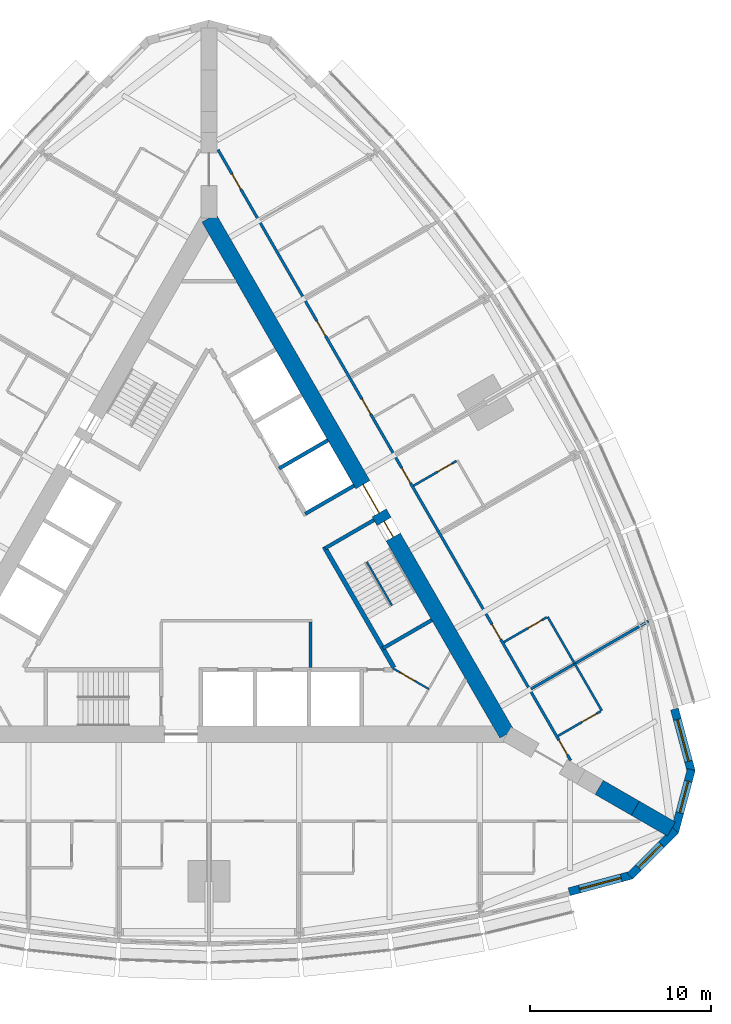
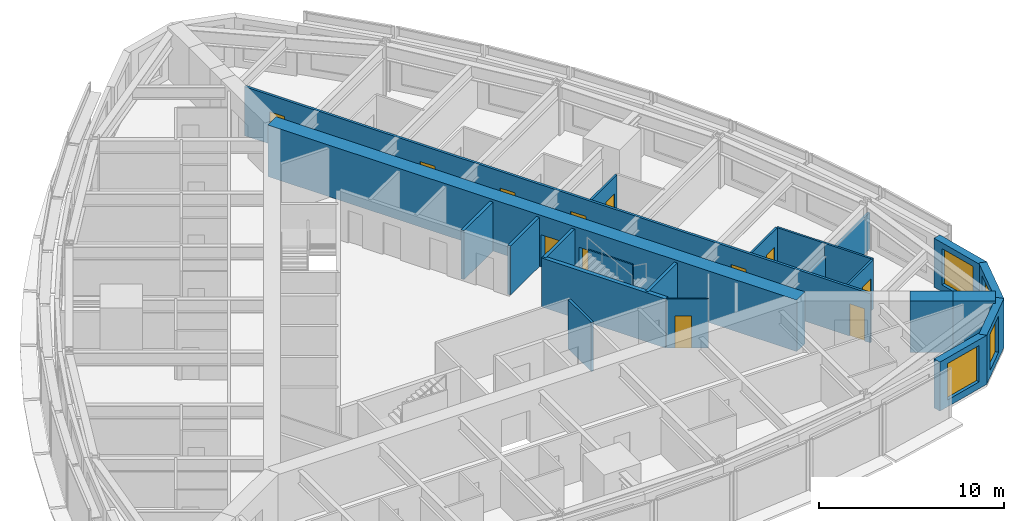
# One storey, part 11 of 14: 22 walls, 12 doors, 4 windows, 16 openings.
"""IFC4 building model written with IfcOpenShell, lengths in metres."""

import ifcopenshell
import ifcopenshell.guid

model = None  # the IFC model being written
_history = None  # IfcOwnerHistory: only IFC2X3 demands one
_inside = {}  # id of a spatial element -> (the spatial element, [elements in it])
_under = {}  # id of a project, library or spatial element -> (it, [spatial elements below it])
_declared = {}  # id of a project -> (the project, [libraries it declares])
_typed = {}  # id of a type object -> (the type object, [elements of that type])
_made_of = {}  # id of a material, layer set ... -> (it, [elements and type objects made of it])


def new_model(schema):
    """Start an empty IFC model of exactly this schema.

    Asked for "IFC4X3", IfcOpenShell would pick the latest addendum, in which some entities
    have other attributes; the version numbers below select the first issue.
    IFC2X3 requires an IfcOwnerHistory on every rooted entity: one is made here for all.
    """
    global model, _history
    if schema == "IFC4X3":
        model = ifcopenshell.file(schema_version=(4, 3, 0, 0))
    else:
        model = ifcopenshell.file(schema=schema)
    _inside.clear()
    _under.clear()
    _declared.clear()
    _typed.clear()
    _made_of.clear()
    _history = None
    if model.schema == "IFC2X3":
        org = make("IfcOrganization", Name="unknown")
        user = make(
            "IfcPersonAndOrganization",
            ThePerson=make("IfcPerson", FamilyName="unknown"),
            TheOrganization=org,
        )
        app = make(
            "IfcApplication",
            ApplicationDeveloper=org,
            Version="unknown",
            ApplicationFullName="unknown",
            ApplicationIdentifier="unknown",
        )
        _history = make(
            "IfcOwnerHistory",
            OwningUser=user,
            OwningApplication=app,
            ChangeAction="ADDED",
            CreationDate=0,
        )
    return model


def make(cls, **values):
    """One entity of the class cls with the attributes given. An attribute that is None is left unset."""
    return model.create_entity(
        cls, **{name: value for name, value in values.items() if value is not None}
    )


def rooted(cls, **values):
    """An entity with a GlobalId (a new one), such as an element, a storey or a relation."""
    return make(cls, GlobalId=ifcopenshell.guid.new(), OwnerHistory=_history, **values)


def si_unit(unit_type, name, prefix=None):
    """IfcSIUnit, for example si_unit("LENGTHUNIT", "METRE", prefix="MILLI")."""
    return make("IfcSIUnit", UnitType=unit_type, Prefix=prefix, Name=name)


def assignment(units):
    """IfcUnitAssignment: the units of a project."""
    return None if units is None else make("IfcUnitAssignment", Units=units)


def point(xyz):
    """IfcCartesianPoint."""
    return None if xyz is None else make("IfcCartesianPoint", Coordinates=xyz)


def direction(xyz):
    """IfcDirection."""
    return None if xyz is None else make("IfcDirection", DirectionRatios=xyz)


def frame(location, z_axis=None, x_axis=None):
    """IfcAxis2Placement3D, a coordinate frame: its origin and axes. An axis left out is left unset."""
    return make(
        "IfcAxis2Placement3D",
        Location=point(location),
        Axis=direction(z_axis),
        RefDirection=direction(x_axis),
    )


def frame_2d(location, x_axis=None):
    """IfcAxis2Placement2D, a coordinate frame in the plane: its origin and x axis."""
    return make(
        "IfcAxis2Placement2D", Location=point(location), RefDirection=direction(x_axis)
    )


def origin():
    """The frame at (0, 0, 0) with its axes left unset."""
    return frame((0.0, 0.0, 0.0))


def place(relative_to, where):
    """IfcLocalPlacement: puts the frame where relative to a parent placement (None: the world)."""
    return make(
        "IfcLocalPlacement", PlacementRelTo=relative_to, RelativePlacement=where
    )


def context(
    kind, dimensions, precision=None, world=None, true_north=None, identifier=None
):
    """IfcGeometricRepresentationContext, for example the 3D "Model" context."""
    return make(
        "IfcGeometricRepresentationContext",
        ContextIdentifier=identifier,
        ContextType=kind,
        CoordinateSpaceDimension=dimensions,
        Precision=precision,
        WorldCoordinateSystem=world,
        TrueNorth=true_north,
    )


def subcontext(parent, identifier, kind, view, scale=None):
    """IfcGeometricRepresentationSubContext, for example "Body" below "Model"."""
    return make(
        "IfcGeometricRepresentationSubContext",
        ContextIdentifier=identifier,
        ContextType=kind,
        ParentContext=parent,
        TargetScale=scale,
        TargetView=view,
    )


def project(units=None, contexts=None):
    """IfcProject with its units and contexts."""
    return rooted(
        "IfcProject",
        Name="project",
        RepresentationContexts=contexts,
        UnitsInContext=assignment(units),
    )


def spatial(cls, under=None, at=None, **own):
    """A site, building, storey or space (cls), placed at a placement, below another one or the project."""
    s = rooted(cls, ObjectPlacement=at, **own)
    if under is not None:
        _under.setdefault(under.id(), (under, []))[1].append(s)
    return s


def polyline(points):
    """IfcPolyline through the points."""
    return make("IfcPolyline", Points=[point(p) for p in points])


def profile(cls, at=None, kind="AREA", **sizes):
    """A parametric profile (cls). Its sizes go by their IFC names, for example OverallWidth=200.0."""
    return make(cls, ProfileType=kind, Position=at, **sizes)


def rectangle(**sizes):
    """IfcRectangleProfileDef."""
    return profile("IfcRectangleProfileDef", **sizes)


def outline(outer, holes=None, kind="AREA"):
    """IfcArbitraryClosedProfileDef: a profile drawn as a closed curve; with holes, ...WithVoids."""
    if holes is None:
        return make("IfcArbitraryClosedProfileDef", ProfileType=kind, OuterCurve=outer)
    return make(
        "IfcArbitraryProfileDefWithVoids",
        ProfileType=kind,
        OuterCurve=outer,
        InnerCurves=holes,
    )


def extrude(swept, where, along, depth):
    """IfcExtrudedAreaSolid: the profile swept, set in the frame where, extruded along a direction by depth."""
    return make(
        "IfcExtrudedAreaSolid",
        SweptArea=swept,
        Position=where,
        ExtrudedDirection=direction(along),
        Depth=depth,
    )


def shape(context_of_items, identifier, shape_type, items):
    """IfcShapeRepresentation: the items that make up one representation, for example the "Body"."""
    return make(
        "IfcShapeRepresentation",
        ContextOfItems=context_of_items,
        RepresentationIdentifier=identifier,
        RepresentationType=shape_type,
        Items=items,
    )


def material(Name=None, Category=None):
    """IfcMaterial."""
    return make("IfcMaterial", Name=Name, Category=Category)


def layer(
    of_material, thickness, ventilated=None, Name=None, Category=None, Priority=None
):
    """IfcMaterialLayer: one layer of a wall or slab, of a material (None: an air gap)."""
    return make(
        "IfcMaterialLayer",
        Material=of_material,
        LayerThickness=thickness,
        IsVentilated=ventilated,
        Name=Name,
        Category=Category,
        Priority=Priority,
    )


def layer_set(layers, Name=None):
    """IfcMaterialLayerSet."""
    return make("IfcMaterialLayerSet", MaterialLayers=layers, LayerSetName=Name)


def made_of(thing, what):
    """Note that an element or type object is made of a material, layer set ...; save() writes the relation."""
    if what is not None:
        _made_of.setdefault(what.id(), (what, []))[1].append(thing)
    return thing


def type_object(cls, material=None, **own):
    """A type object (cls), such as IfcWallType, which elements share."""
    return made_of(rooted(cls, **own), material)


def element(
    cls,
    number,
    at=None,
    inside=None,
    cuts=None,
    type_object=None,
    material=None,
    context=None,
    identifier="Body",
    shape_type=None,
    held_by="IfcProductDefinitionShape",
    body=None,
    shapes=None,
    **own,
):
    """One element of the class cls, such as IfcWall. Its Tag is "e" and its number.

    at: its placement. inside: the storey or other place that contains it. cuts: it is an
    opening in that element (IfcRelVoidsElement). A single representation is given by context,
    identifier, shape_type and body (its items); several are given by shapes. held_by: the class
    of the entity that holds the representations. save() writes the other relations.
    """
    e = rooted(cls, Tag="e%d" % number, ObjectPlacement=at, **own)
    if body is not None:
        shapes = [shape(context, identifier, shape_type, body)]
    if shapes is not None:
        e.Representation = make(held_by, Representations=shapes)
    if inside is not None:
        _inside.setdefault(inside.id(), (inside, []))[1].append(e)
    if cuts is not None:
        rooted(
            "IfcRelVoidsElement", RelatingBuildingElement=cuts, RelatedOpeningElement=e
        )
    if type_object is not None:
        _typed.setdefault(type_object.id(), (type_object, []))[1].append(e)
    return made_of(e, material)


def fill(opening, filler):
    """IfcRelFillsElement: the door or window that sits in an opening."""
    return rooted(
        "IfcRelFillsElement",
        RelatingOpeningElement=opening,
        RelatedBuildingElement=filler,
    )


def aggregate(whole, parts):
    """IfcRelAggregates: a whole, such as a stair, and the parts it consists of."""
    return rooted("IfcRelAggregates", RelatingObject=whole, RelatedObjects=parts)


def save(model, path):
    """Write the relations noted so far, then the file.

    IfcRelAggregates (storeys below a building ...), IfcRelContainedInSpatialStructure (elements
    in a storey), IfcRelDefinesByType, IfcRelAssociatesMaterial and IfcRelDeclares: one each for
    every whole, place, type object, material and project.
    """
    for whole, parts in _under.values():
        aggregate(whole, parts)
    for where, things in _inside.values():
        rooted(
            "IfcRelContainedInSpatialStructure",
            RelatedElements=things,
            RelatingStructure=where,
        )
    for kind, things in _typed.values():
        rooted("IfcRelDefinesByType", RelatedObjects=things, RelatingType=kind)
    for what, things in _made_of.values():
        rooted("IfcRelAssociatesMaterial", RelatedObjects=things, RelatingMaterial=what)
    for by, libraries in _declared.values():
        rooted("IfcRelDeclares", RelatingContext=by, RelatedDefinitions=libraries)
    model.write(path)


model = new_model("IFC4")

# Units and contexts
model_context = context("Model", 3, precision=1e-05, world=origin(), true_north=direction((0.0, 1.0)))
body_context = subcontext(model_context, "Body", "Model", "MODEL_VIEW")
ifc_project = project(units=[si_unit("LENGTHUNIT", "METRE"), si_unit("AREAUNIT", "SQUARE_METRE"), si_unit("VOLUMEUNIT", "CUBIC_METRE"), si_unit("PLANEANGLEUNIT", "RADIAN"), si_unit("MASSUNIT", "GRAM", prefix="KILO")], contexts=[model_context])

# Site, building, storey
site_placement = place(None, origin())
site = spatial("IfcSite", under=ifc_project, at=site_placement, CompositionType="ELEMENT")
building_placement = place(site_placement, origin())
building = spatial("IfcBuilding", under=site, at=building_placement, Name="Trikona Tower", CompositionType="ELEMENT")
storey_placement = place(building_placement, frame((0.0, 0.0, 118.10009765625)))
storey = spatial("IfcBuildingStorey", under=building, at=storey_placement, Name="L30", CompositionType="ELEMENT", Elevation=118.10009765625)

# Wall
ifc_material_1 = material(Name="Metal stud and cement board", Category="gypsum")
ifc_layer_1 = layer(ifc_material_1, 0.1201171875)
ifc_layer_set_1 = layer_set([ifc_layer_1], Name="Bathroom wall 120")
wall_type_1 = type_object("IfcWallType", Name="Bathroom wall 120", PredefinedType="PLUMBINGWALL", material=ifc_layer_set_1)
wall_1_placement = place(storey_placement, frame((21.75341796875, -8.225341796875, 0.0), z_axis=(0.0, 0.0, 1.0), x_axis=(-0.499990139034, 0.866031096941, 0.0)))
element("IfcWall", 1, at=wall_1_placement, inside=storey, type_object=wall_type_1, Name="Bathroom wall 3007", PredefinedType="PLUMBINGWALL", context=body_context, shape_type="SweptSolid", body=[
    extrude(rectangle(XDim=3.0, YDim=0.1201171875, at=frame_2d((1.5, 0.0))), origin(), (0.0, 0.0, 1.0), 3.23486328125),
])

# Wall, opening, door
wall_2_placement = place(storey_placement, frame((19.32861328125, -9.625244140625, 0.0), z_axis=(0.0, 0.0, 1.0), x_axis=(0.866035715982, 0.499982138324, 0.0)))
wall_2 = element("IfcWall", 2, at=wall_2_placement, inside=storey, type_object=wall_type_1, Name="Bathroom wall 3007", PredefinedType="PLUMBINGWALL", context=body_context, shape_type="SweptSolid", body=[
    extrude(rectangle(XDim=2.73974609375, YDim=0.1201171875, at=frame_2d((1.369873046875, 0.0))), origin(), (0.0, 0.0, 1.0), 3.23486328125),
])
opening_1_placement = place(wall_2_placement, frame((1.550048828125, 0.0, 0.0)))
opening_1 = element("IfcOpeningElement", 3, at=opening_1_placement, cuts=wall_2, Name="Opening D2", PredefinedType="OPENING", context=body_context, shape_type="SweptSolid", body=[
    extrude(rectangle(XDim=0.89990234375, YDim=2.1298828125, at=frame_2d((0.449951171875, 1.06494140625))), frame((0.0, 0.070068359375, 0.0), z_axis=(0.0, -1.0, 0.0), x_axis=(1.0, 0.0, 0.0)), (0.0, 0.0, 1.0), 0.14013671875),
])
ifc_material_2 = material(Name="Steel door frame with solid-core timber leaf", Category="steel")
door_type_1 = type_object("IfcDoorType", Name="Bathroom door 900x2130", OperationType="SLIDING_TO_LEFT", PredefinedType="DOOR", material=ifc_material_2)
door_1_placement = place(opening_1_placement, origin())
door_1 = element("IfcDoor", 4, at=door_1_placement, inside=storey, type_object=door_type_1, Name="Bathroom door 3007", OperationType="SLIDING_TO_LEFT", OverallHeight=2.1298828125, OverallWidth=0.89990234375, PredefinedType="DOOR", context=body_context, shape_type="SweptSolid", body=[
    extrude(rectangle(XDim=0.89990234375, YDim=2.1298828125, at=frame_2d((0.449951171875, 1.06494140625))), frame((0.0, 0.02490234375, 0.0), z_axis=(0.0, -1.0, 0.0), x_axis=(1.0, 0.0, 0.0)), (0.0, 0.0, 1.0), 0.050048828125),
])
fill(opening_1, door_1)

# Wall
wall_3_placement = place(storey_placement, frame((20.25341796875, -5.627197265625, 0.0), z_axis=(0.0, 0.0, 1.0), x_axis=(-0.50002537861, 0.866010750942, 0.0)))
element("IfcWall", 5, at=wall_3_placement, inside=storey, type_object=wall_type_1, Name="Bathroom wall 3008", PredefinedType="PLUMBINGWALL", context=body_context, shape_type="SweptSolid", body=[
    extrude(rectangle(XDim=2.999755859375, YDim=0.1201171875, at=frame_2d((1.5, 0.0))), origin(), (0.0, 0.0, 1.0), 3.23486328125),
])

# Wall, opening, door
wall_4_placement = place(storey_placement, frame((16.32861328125, -4.42919921875, 0.0), z_axis=(0.0, 0.0, 1.0), x_axis=(0.865997131366, 0.500048966069, 0.0)))
wall_4 = element("IfcWall", 6, at=wall_4_placement, inside=storey, type_object=wall_type_1, Name="Bathroom wall 3008", PredefinedType="PLUMBINGWALL", context=body_context, shape_type="SweptSolid", body=[
    extrude(rectangle(XDim=2.739990234375, YDim=0.1201171875, at=frame_2d((1.3701171875, 0.0))), origin(), (0.0, 0.0, 1.0), 3.23486328125),
])
opening_2_placement = place(wall_4_placement, frame((1.550048828125, 0.0, 0.0)))
opening_2 = element("IfcOpeningElement", 7, at=opening_2_placement, cuts=wall_4, Name="Opening D2", PredefinedType="OPENING", context=body_context, shape_type="SweptSolid", body=[
    extrude(rectangle(XDim=0.89990234375, YDim=2.1298828125, at=frame_2d((0.449951171875, 1.06494140625))), frame((0.0, 0.070068359375, 0.0), z_axis=(0.0, -1.0, 0.0), x_axis=(1.0, 0.0, 0.0)), (0.0, 0.0, 1.0), 0.14013671875),
])
door_2_placement = place(opening_2_placement, origin())
door_2 = element("IfcDoor", 8, at=door_2_placement, inside=storey, type_object=door_type_1, Name="Bathroom door 3008", OperationType="SLIDING_TO_LEFT", OverallHeight=2.1298828125, OverallWidth=0.89990234375, PredefinedType="DOOR", context=body_context, shape_type="SweptSolid", body=[
    extrude(rectangle(XDim=0.89990234375, YDim=2.1298828125, at=frame_2d((0.449951171875, 1.06494140625))), frame((0.0, 0.02490234375, 0.0), z_axis=(0.0, -1.0, 0.0), x_axis=(1.0, 0.0, 0.0)), (0.0, 0.0, 1.0), 0.050048828125),
])
fill(opening_2, door_2)

wall_5_placement = place(storey_placement, frame((11.32861328125, 4.231201171875, 0.0), z_axis=(0.0, 0.0, 1.0), x_axis=(0.866035715982, 0.499982138324, 0.0)))
wall_5 = element("IfcWall", 9, at=wall_5_placement, inside=storey, type_object=wall_type_1, Name="Bathroom wall 3009", PredefinedType="PLUMBINGWALL", context=body_context, shape_type="SweptSolid", body=[
    extrude(rectangle(XDim=2.73974609375, YDim=0.1201171875, at=frame_2d((1.369873046875, 0.0))), origin(), (0.0, 0.0, 1.0), 3.23486328125),
])
opening_3_placement = place(wall_5_placement, frame((1.550048828125, 0.0, 0.0)))
opening_3 = element("IfcOpeningElement", 10, at=opening_3_placement, cuts=wall_5, Name="Opening D2", PredefinedType="OPENING", context=body_context, shape_type="SweptSolid", body=[
    extrude(rectangle(XDim=0.89990234375, YDim=2.1298828125, at=frame_2d((0.449951171875, 1.06494140625))), frame((0.0, 0.070068359375, 0.0), z_axis=(0.0, -1.0, 0.0), x_axis=(1.0, 0.0, 0.0)), (0.0, 0.0, 1.0), 0.14013671875),
])
door_3_placement = place(opening_3_placement, origin())
door_3 = element("IfcDoor", 11, at=door_3_placement, inside=storey, type_object=door_type_1, Name="Bathroom door 3009", OperationType="SLIDING_TO_LEFT", OverallHeight=2.1298828125, OverallWidth=0.89990234375, PredefinedType="DOOR", context=body_context, shape_type="SweptSolid", body=[
    extrude(rectangle(XDim=0.89990234375, YDim=2.1298828125, at=frame_2d((0.449951171875, 1.06494140625))), frame((0.0, 0.02490234375, 0.0), z_axis=(0.0, -1.0, 0.0), x_axis=(1.0, 0.0, 0.0)), (0.0, 0.0, 1.0), 0.050048828125),
])
fill(opening_3, door_3)

# Wall, opening, window
ifc_material_3 = material(Name="Brick-faced precast concrete", Category="masonry")
ifc_layer_2 = layer(ifc_material_3, 0.449951171875)
ifc_layer_set_2 = layer_set([ifc_layer_2], Name="Brick-faced corner wall 450")
wall_type_2 = type_object("IfcWallType", Name="Brick-faced corner wall 450", PredefinedType="SOLIDWALL", material=ifc_layer_set_2)
wall_6_placement = place(storey_placement, frame((19.94189453125, -18.2578125, 0.0), z_axis=(0.0, 0.0, 1.0), x_axis=(0.965924653531, 0.258823421857, 0.0)))
wall_6 = element("IfcWall", 12, at=wall_6_placement, inside=storey, type_object=wall_type_2, Name="External wall L30-08", PredefinedType="SOLIDWALL", context=body_context, shape_type="SweptSolid", body=[
    extrude(rectangle(XDim=3.58642578125, YDim=0.449951171875, at=frame_2d((1.793212890625, 0.0))), origin(), (0.0, 0.0, 1.0), 3.23486328125),
])
opening_4_placement = place(wall_6_placement, frame((0.593017578125, 0.0, 0.449951171875)))
opening_4 = element("IfcOpeningElement", 13, at=opening_4_placement, cuts=wall_6, Name="Opening W2424", PredefinedType="OPENING", context=body_context, shape_type="SweptSolid", body=[
    extrude(rectangle(XDim=2.39990234375, YDim=2.39990234375, at=frame_2d((1.199951171875, 1.199951171875))), frame((0.0, 0.23486328125, 0.0), z_axis=(0.0, -1.0, 0.0), x_axis=(1.0, 0.0, 0.0)), (0.0, 0.0, 1.0), 0.469970703125),
])
ifc_material_4 = material(Name="Aluminium-framed double glazing", Category="aluminium")
window_type_1 = type_object("IfcWindowType", Name="Window 2400x2400", PartitioningType="SINGLE_PANEL", PredefinedType="WINDOW", material=ifc_material_4)
window_1_placement = place(opening_4_placement, origin())
window_1 = element("IfcWindow", 14, at=window_1_placement, inside=storey, type_object=window_type_1, Name="Window 3006", OverallHeight=2.39990234375, OverallWidth=2.39990234375, PartitioningType="SINGLE_PANEL", PredefinedType="WINDOW", context=body_context, shape_type="SweptSolid", body=[
    extrude(rectangle(XDim=2.39990234375, YDim=2.39990234375, at=frame_2d((1.199951171875, 1.199951171875))), frame((0.0, 0.030029296875, 0.0), z_axis=(0.0, -1.0, 0.0), x_axis=(1.0, 0.0, 0.0)), (0.0, 0.0, 1.0), 0.06005859375),
])
fill(opening_4, window_1)

wall_7_placement = place(storey_placement, frame((23.304931640625, -17.387939453125, 0.0), z_axis=(0.0, 0.0, 1.0), x_axis=(0.707106781187, 0.707106781187, 0.0)))
wall_7 = element("IfcWall", 15, at=wall_7_placement, inside=storey, type_object=wall_type_2, Name="External wall L30-09", PredefinedType="SOLIDWALL", context=body_context, shape_type="SweptSolid", body=[
    extrude(outline(polyline([(3.586181640625, 0.22509765625), (3.527099609375, 0.22509765625), (3.03515625, 0.09326171875), (3.0, 0.22509765625), (0.0, 0.22509765625), (0.0, -0.22509765625), (3.586181640625, -0.22509765625), (3.586181640625, 0.22509765625)])), origin(), (0.0, 0.0, 1.0), 3.23486328125),
])
opening_5_placement = place(wall_7_placement, frame((0.6748046875, 0.0, 0.449951171875)))
opening_5 = element("IfcOpeningElement", 16, at=opening_5_placement, cuts=wall_7, Name="Opening W1824", PredefinedType="OPENING", context=body_context, shape_type="SweptSolid", body=[
    extrude(rectangle(XDim=1.800048828125, YDim=2.39990234375, at=frame_2d((0.89990234375, 1.199951171875))), frame((0.0, 0.23486328125, 0.0), z_axis=(0.0, -1.0, 0.0), x_axis=(1.0, 0.0, 0.0)), (0.0, 0.0, 1.0), 0.469970703125),
])
ifc_material_5 = material(Name="Aluminium-framed double glazing", Category="aluminium")
window_type_2 = type_object("IfcWindowType", Name="Window 1800x2400", PartitioningType="SINGLE_PANEL", PredefinedType="WINDOW", material=ifc_material_5)
window_2_placement = place(opening_5_placement, origin())
window_2 = element("IfcWindow", 17, at=window_2_placement, inside=storey, type_object=window_type_2, Name="Window 3006", OverallHeight=2.39990234375, OverallWidth=1.800048828125, PartitioningType="SINGLE_PANEL", PredefinedType="WINDOW", context=body_context, shape_type="SweptSolid", body=[
    extrude(rectangle(XDim=1.800048828125, YDim=2.39990234375, at=frame_2d((0.89990234375, 1.199951171875))), frame((0.0, 0.030029296875, 0.0), z_axis=(0.0, -1.0, 0.0), x_axis=(1.0, 0.0, 0.0)), (0.0, 0.0, 1.0), 0.06005859375),
])
fill(opening_5, window_2)

wall_8_placement = place(storey_placement, frame((25.78271484375, -14.952880859375, 0.0), z_axis=(0.0, 0.0, 1.0), x_axis=(0.258823421857, 0.965924653531, 0.0)))
wall_8 = element("IfcWall", 18, at=wall_8_placement, inside=storey, type_object=wall_type_2, Name="External wall L30-10", PredefinedType="SOLIDWALL", context=body_context, shape_type="SweptSolid", body=[
    extrude(outline(polyline([(3.58642578125, 0.22509765625), (0.58642578125, 0.22509765625), (0.551025390625, 0.09326171875), (0.0595703125, 0.22509765625), (0.0, 0.22509765625), (0.0, -0.22509765625), (3.58642578125, -0.22509765625), (3.58642578125, 0.22509765625)])), origin(), (0.0, 0.0, 1.0), 3.23486328125),
])
opening_6_placement = place(wall_8_placement, frame((1.111328125, 0.0, 0.449951171875)))
opening_6 = element("IfcOpeningElement", 19, at=opening_6_placement, cuts=wall_8, Name="Opening W1824", PredefinedType="OPENING", context=body_context, shape_type="SweptSolid", body=[
    extrude(rectangle(XDim=1.800048828125, YDim=2.39990234375, at=frame_2d((0.89990234375, 1.199951171875))), frame((0.0, 0.23486328125, 0.0), z_axis=(0.0, -1.0, 0.0), x_axis=(1.0, 0.0, 0.0)), (0.0, 0.0, 1.0), 0.469970703125),
])
window_3_placement = place(opening_6_placement, origin())
window_3 = element("IfcWindow", 20, at=window_3_placement, inside=storey, type_object=window_type_2, Name="Window 3007", OverallHeight=2.39990234375, OverallWidth=1.800048828125, PartitioningType="SINGLE_PANEL", PredefinedType="WINDOW", context=body_context, shape_type="SweptSolid", body=[
    extrude(rectangle(XDim=1.800048828125, YDim=2.39990234375, at=frame_2d((0.89990234375, 1.199951171875))), frame((0.0, 0.030029296875, 0.0), z_axis=(0.0, -1.0, 0.0), x_axis=(1.0, 0.0, 0.0)), (0.0, 0.0, 1.0), 0.06005859375),
])
fill(opening_6, window_3)

wall_9_placement = place(storey_placement, frame((26.7109375, -11.605224609375, 0.0), z_axis=(0.0, 0.0, 1.0), x_axis=(-0.258823421857, 0.965924653531, 0.0)))
wall_9 = element("IfcWall", 21, at=wall_9_placement, inside=storey, type_object=wall_type_2, Name="External wall L30-11", PredefinedType="SOLIDWALL", context=body_context, shape_type="SweptSolid", body=[
    extrude(rectangle(XDim=3.58642578125, YDim=0.449951171875, at=frame_2d((1.793212890625, 0.0))), origin(), (0.0, 0.0, 1.0), 3.23486328125),
])
opening_7_placement = place(wall_9_placement, frame((0.593017578125, 0.0, 0.449951171875)))
opening_7 = element("IfcOpeningElement", 22, at=opening_7_placement, cuts=wall_9, Name="Opening W2424", PredefinedType="OPENING", context=body_context, shape_type="SweptSolid", body=[
    extrude(rectangle(XDim=2.39990234375, YDim=2.39990234375, at=frame_2d((1.199951171875, 1.199951171875))), frame((0.0, 0.23486328125, 0.0), z_axis=(0.0, -1.0, 0.0), x_axis=(1.0, 0.0, 0.0)), (0.0, 0.0, 1.0), 0.469970703125),
])
window_4_placement = place(opening_7_placement, origin())
window_4 = element("IfcWindow", 23, at=window_4_placement, inside=storey, type_object=window_type_1, Name="Window 3007", OverallHeight=2.39990234375, OverallWidth=2.39990234375, PartitioningType="SINGLE_PANEL", PredefinedType="WINDOW", context=body_context, shape_type="SweptSolid", body=[
    extrude(rectangle(XDim=2.39990234375, YDim=2.39990234375, at=frame_2d((1.199951171875, 1.199951171875))), frame((0.0, 0.030029296875, 0.0), z_axis=(0.0, -1.0, 0.0), x_axis=(1.0, 0.0, 0.0)), (0.0, 0.0, 1.0), 0.06005859375),
])
fill(opening_7, window_4)

# Walls
ifc_material_6 = material(Name="Concrete f'c 10000 psi", Category="concrete")
ifc_layer_3 = layer(ifc_material_6, 0.89990234375)
ifc_layer_set_3 = layer_set([ifc_layer_3], Name="Buttress wall 900")
wall_type_3 = type_object("IfcWallType", Name="Buttress wall 900", PredefinedType="SHEAR", material=ifc_layer_set_3)
for number, where, z_axis, x_axis, name in (
    (24, (21.6103515625, -12.476806640625, 0.0), (0.0, 0.0, 1.0), (0.866055313784, -0.499948190782, 0.0), "Buttress wall 1 part 3"),
    (25, (23.6103515625, -13.63134765625, 0.0), (0.0, 0.0, 1.0), (0.866009537788, -0.500027479704, 0.0), "Buttress wall 1 part 4"),
):
    element("IfcWall", number, at=place(storey_placement, frame(where, z_axis=z_axis, x_axis=x_axis)), inside=storey, type_object=wall_type_3, Name=name, PredefinedType="SHEAR", context=body_context, shape_type="SweptSolid", body=[
        extrude(rectangle(XDim=2.309326171875, YDim=0.89990234375, at=frame_2d((1.15478515625, 0.0))), origin(), (0.0, 0.0, 1.0), 3.39990234375),
    ])

# Wall, openings, doors
ifc_material_7 = material(Name="Concrete f'c 10000 psi", Category="concrete")
ifc_layer_4 = layer(ifc_material_7, 0.89990234375)
ifc_layer_set_4 = layer_set([ifc_layer_4], Name="Core wall 900")
wall_type_4 = type_object("IfcWallType", Name="Core wall 900", PredefinedType="SHEAR", material=ifc_layer_set_4)
wall_10_placement = place(storey_placement, frame((16.5, -9.5263671875, 0.0), z_axis=(0.0, 0.0, 1.0), x_axis=(-0.499999749417, 0.866025548458, 0.0)))
wall_10 = element("IfcWall", 26, at=wall_10_placement, inside=storey, type_object=wall_type_4, Name="Core wall B", PredefinedType="SHEAR", context=body_context, shape_type="SweptSolid", body=[
    extrude(rectangle(XDim=33.0, YDim=0.89990234375, at=frame_2d((16.5, 0.0))), origin(), (0.0, 0.0, 1.0), 3.39990234375),
])
opening_8_placement = place(wall_10_placement, frame((14.14990234375, 0.0, 0.0)))
opening_8 = element("IfcOpeningElement", 27, at=opening_8_placement, cuts=wall_10, Name="Opening D6", PredefinedType="OPENING", context=body_context, shape_type="SweptSolid", body=[
    extrude(rectangle(XDim=1.800048828125, YDim=2.1298828125, at=frame_2d((0.89990234375, 1.06494140625))), frame((0.0, 0.4599609375, 0.0), z_axis=(0.0, -1.0, 0.0), x_axis=(1.0, 0.0, 0.0)), (0.0, 0.0, 1.0), 0.919921875),
])
opening_9_placement = place(wall_10_placement, frame((12.60009765625, 0.0, 0.0)))
opening_9 = element("IfcOpeningElement", 28, at=opening_9_placement, cuts=wall_10, Name="Opening D5", PredefinedType="OPENING", context=body_context, shape_type="SweptSolid", body=[
    extrude(rectangle(XDim=1.0, YDim=2.1298828125, at=frame_2d((0.5, 1.06494140625))), frame((0.0, 0.4599609375, 0.0), z_axis=(0.0, -1.0, 0.0), x_axis=(1.0, 0.0, 0.0)), (0.0, 0.0, 1.0), 0.919921875),
])
ifc_material_8 = material(Name="Hollow metal door and frame", Category="steel")
door_type_2 = type_object("IfcDoorType", Name="Lobby door pair 1800x2130", OperationType="DOUBLE_DOOR_SINGLE_SWING", PredefinedType="DOOR", material=ifc_material_8)
door_4_placement = place(opening_8_placement, origin())
door_4 = element("IfcDoor", 29, at=door_4_placement, inside=storey, type_object=door_type_2, Name="Lift lobby door B", OperationType="DOUBLE_DOOR_SINGLE_SWING", OverallHeight=2.1298828125, OverallWidth=1.800048828125, PredefinedType="DOOR", context=body_context, shape_type="SweptSolid", body=[
    extrude(rectangle(XDim=1.800048828125, YDim=2.1298828125, at=frame_2d((0.89990234375, 1.06494140625))), frame((0.0, 0.02490234375, 0.0), z_axis=(0.0, -1.0, 0.0), x_axis=(1.0, 0.0, 0.0)), (0.0, 0.0, 1.0), 0.050048828125),
])
fill(opening_8, door_4)
ifc_material_9 = material(Name="Hollow metal door and frame", Category="steel")
door_type_3 = type_object("IfcDoorType", Name="Stair door 1000x2130", OperationType="SINGLE_SWING_LEFT", PredefinedType="DOOR", material=ifc_material_9)
door_5_placement = place(opening_9_placement, origin())
door_5 = element("IfcDoor", 30, at=door_5_placement, inside=storey, type_object=door_type_3, Name="Stair B door", OperationType="SINGLE_SWING_RIGHT", OverallHeight=2.1298828125, OverallWidth=1.0, PredefinedType="DOOR", context=body_context, shape_type="SweptSolid", body=[
    extrude(rectangle(XDim=1.0, YDim=2.1298828125, at=frame_2d((0.5, 1.06494140625))), frame((0.0, 0.02490234375, 0.0), z_axis=(0.0, -1.0, 0.0), x_axis=(1.0, 0.0, 0.0)), (0.0, 0.0, 1.0), 0.050048828125),
])
fill(opening_9, door_5)

ifc_material_10 = material(Name="Metal stud and gypsum board, 1-hour", Category="gypsum")
ifc_layer_5 = layer(ifc_material_10, 0.14990234375)
ifc_layer_set_5 = layer_set([ifc_layer_5], Name="Corridor wall 150")
wall_type_5 = type_object("IfcWallType", Name="Corridor wall 150", PredefinedType="PARTITIONING", material=ifc_layer_set_5)
wall_11_placement = place(storey_placement, frame((20.027099609375, -10.9853515625, 0.0), z_axis=(0.0, 0.0, 1.0), x_axis=(-0.500001677587, 0.866024435227, 0.0)))
wall_11 = element("IfcWall", 31, at=wall_11_placement, inside=storey, type_object=wall_type_5, Name="Corridor wall L30-2", PredefinedType="PARTITIONING", context=body_context, shape_type="SweptSolid", body=[
    extrude(rectangle(XDim=39.053955078125, YDim=0.14990234375, at=frame_2d((19.52685546875, 0.0))), origin(), (0.0, 0.0, 1.0), 3.23486328125),
])
opening_10_placement = place(wall_11_placement, frame((0.35205078125, 0.0, 0.0)))
opening_10 = element("IfcOpeningElement", 32, at=opening_10_placement, cuts=wall_11, Name="Opening D1", PredefinedType="OPENING", context=body_context, shape_type="SweptSolid", body=[
    extrude(rectangle(XDim=0.949951171875, YDim=2.1298828125, at=frame_2d((0.47509765625, 1.06494140625))), frame((0.0, 0.0849609375, 0.0), z_axis=(0.0, -1.0, 0.0), x_axis=(1.0, 0.0, 0.0)), (0.0, 0.0, 1.0), 0.169921875),
])
opening_11_placement = place(wall_11_placement, frame((7.751953125, 0.0, 0.0)))
opening_11 = element("IfcOpeningElement", 33, at=opening_11_placement, cuts=wall_11, Name="Opening D1", PredefinedType="OPENING", context=body_context, shape_type="SweptSolid", body=[
    extrude(rectangle(XDim=0.949951171875, YDim=2.1298828125, at=frame_2d((0.47509765625, 1.06494140625))), frame((0.0, 0.0849609375, 0.0), z_axis=(0.0, -1.0, 0.0), x_axis=(1.0, 0.0, 0.0)), (0.0, 0.0, 1.0), 0.169921875),
])
opening_12_placement = place(wall_11_placement, frame((17.751953125, 0.0, 0.0)))
opening_12 = element("IfcOpeningElement", 34, at=opening_12_placement, cuts=wall_11, Name="Opening D1", PredefinedType="OPENING", context=body_context, shape_type="SweptSolid", body=[
    extrude(rectangle(XDim=0.949951171875, YDim=2.1298828125, at=frame_2d((0.47509765625, 1.06494140625))), frame((0.0, 0.0849609375, 0.0), z_axis=(0.0, -1.0, 0.0), x_axis=(1.0, 0.0, 0.0)), (0.0, 0.0, 1.0), 0.169921875),
])
opening_13_placement = place(wall_11_placement, frame((22.152099609375, 0.0, 0.0)))
opening_13 = element("IfcOpeningElement", 35, at=opening_13_placement, cuts=wall_11, Name="Opening D1", PredefinedType="OPENING", context=body_context, shape_type="SweptSolid", body=[
    extrude(rectangle(XDim=0.949951171875, YDim=2.1298828125, at=frame_2d((0.47509765625, 1.06494140625))), frame((0.0, 0.0849609375, 0.0), z_axis=(0.0, -1.0, 0.0), x_axis=(1.0, 0.0, 0.0)), (0.0, 0.0, 1.0), 0.169921875),
])
opening_14_placement = place(wall_11_placement, frame((27.152099609375, 0.0, 0.0)))
opening_14 = element("IfcOpeningElement", 36, at=opening_14_placement, cuts=wall_11, Name="Opening D1", PredefinedType="OPENING", context=body_context, shape_type="SweptSolid", body=[
    extrude(rectangle(XDim=0.949951171875, YDim=2.1298828125, at=frame_2d((0.47509765625, 1.06494140625))), frame((0.0, 0.0849609375, 0.0), z_axis=(0.0, -1.0, 0.0), x_axis=(1.0, 0.0, 0.0)), (0.0, 0.0, 1.0), 0.169921875),
])
opening_15_placement = place(wall_11_placement, frame((36.545654296875, 0.0, 0.0)))
opening_15 = element("IfcOpeningElement", 37, at=opening_15_placement, cuts=wall_11, Name="Opening D1", PredefinedType="OPENING", context=body_context, shape_type="SweptSolid", body=[
    extrude(rectangle(XDim=0.949951171875, YDim=2.1298828125, at=frame_2d((0.47509765625, 1.06494140625))), frame((0.0, 0.0849609375, 0.0), z_axis=(0.0, -1.0, 0.0), x_axis=(1.0, 0.0, 0.0)), (0.0, 0.0, 1.0), 0.169921875),
])
ifc_material_11 = material(Name="Steel door frame with solid-core timber leaf", Category="steel")
door_type_4 = type_object("IfcDoorType", Name="Guest room door 950x2130", OperationType="SINGLE_SWING_LEFT", PredefinedType="DOOR", material=ifc_material_11)
door_6_placement = place(opening_10_placement, origin())
door_6 = element("IfcDoor", 38, at=door_6_placement, inside=storey, type_object=door_type_4, Name="Room door 3007", OperationType="SINGLE_SWING_LEFT", OverallHeight=2.1298828125, OverallWidth=0.949951171875, PredefinedType="DOOR", context=body_context, shape_type="SweptSolid", body=[
    extrude(rectangle(XDim=0.949951171875, YDim=2.1298828125, at=frame_2d((0.47509765625, 1.06494140625))), frame((0.0, 0.02490234375, 0.0), z_axis=(0.0, -1.0, 0.0), x_axis=(1.0, 0.0, 0.0)), (0.0, 0.0, 1.0), 0.050048828125),
])
fill(opening_10, door_6)
door_7_placement = place(opening_11_placement, origin())
door_7 = element("IfcDoor", 39, at=door_7_placement, inside=storey, type_object=door_type_4, Name="Room door 3008", OperationType="SINGLE_SWING_RIGHT", OverallHeight=2.1298828125, OverallWidth=0.949951171875, PredefinedType="DOOR", context=body_context, shape_type="SweptSolid", body=[
    extrude(rectangle(XDim=0.949951171875, YDim=2.1298828125, at=frame_2d((0.47509765625, 1.06494140625))), frame((0.0, 0.02490234375, 0.0), z_axis=(0.0, -1.0, 0.0), x_axis=(1.0, 0.0, 0.0)), (0.0, 0.0, 1.0), 0.050048828125),
])
fill(opening_11, door_7)
door_8_placement = place(opening_12_placement, origin())
door_8 = element("IfcDoor", 40, at=door_8_placement, inside=storey, type_object=door_type_4, Name="Room door 3009", OperationType="SINGLE_SWING_LEFT", OverallHeight=2.1298828125, OverallWidth=0.949951171875, PredefinedType="DOOR", context=body_context, shape_type="SweptSolid", body=[
    extrude(rectangle(XDim=0.949951171875, YDim=2.1298828125, at=frame_2d((0.47509765625, 1.06494140625))), frame((0.0, 0.02490234375, 0.0), z_axis=(0.0, -1.0, 0.0), x_axis=(1.0, 0.0, 0.0)), (0.0, 0.0, 1.0), 0.050048828125),
])
fill(opening_12, door_8)
door_9_placement = place(opening_13_placement, origin())
door_9 = element("IfcDoor", 41, at=door_9_placement, inside=storey, type_object=door_type_4, Name="Room door 3010", OperationType="SINGLE_SWING_RIGHT", OverallHeight=2.1298828125, OverallWidth=0.949951171875, PredefinedType="DOOR", context=body_context, shape_type="SweptSolid", body=[
    extrude(rectangle(XDim=0.949951171875, YDim=2.1298828125, at=frame_2d((0.47509765625, 1.06494140625))), frame((0.0, 0.02490234375, 0.0), z_axis=(0.0, -1.0, 0.0), x_axis=(1.0, 0.0, 0.0)), (0.0, 0.0, 1.0), 0.050048828125),
])
fill(opening_13, door_9)
door_10_placement = place(opening_14_placement, origin())
door_10 = element("IfcDoor", 42, at=door_10_placement, inside=storey, type_object=door_type_4, Name="Room door 3011", OperationType="SINGLE_SWING_LEFT", OverallHeight=2.1298828125, OverallWidth=0.949951171875, PredefinedType="DOOR", context=body_context, shape_type="SweptSolid", body=[
    extrude(rectangle(XDim=0.949951171875, YDim=2.1298828125, at=frame_2d((0.47509765625, 1.06494140625))), frame((0.0, 0.02490234375, 0.0), z_axis=(0.0, -1.0, 0.0), x_axis=(1.0, 0.0, 0.0)), (0.0, 0.0, 1.0), 0.050048828125),
])
fill(opening_14, door_10)
door_11_placement = place(opening_15_placement, origin())
door_11 = element("IfcDoor", 43, at=door_11_placement, inside=storey, type_object=door_type_4, Name="Room door 3012", OperationType="SINGLE_SWING_RIGHT", OverallHeight=2.1298828125, OverallWidth=0.949951171875, PredefinedType="DOOR", context=body_context, shape_type="SweptSolid", body=[
    extrude(rectangle(XDim=0.949951171875, YDim=2.1298828125, at=frame_2d((0.47509765625, 1.06494140625))), frame((0.0, 0.02490234375, 0.0), z_axis=(0.0, -1.0, 0.0), x_axis=(1.0, 0.0, 0.0)), (0.0, 0.0, 1.0), 0.050048828125),
])
fill(opening_15, door_11)

# Walls
ifc_material_12 = material(Name="Concrete f'c 8000 psi", Category="concrete")
ifc_layer_6 = layer(ifc_material_12, 0.25)
ifc_layer_set_6 = layer_set([ifc_layer_6], Name="Hub wall 250")
wall_type_6 = type_object("IfcWallType", Name="Hub wall 250", PredefinedType="SOLIDWALL", material=ifc_layer_set_6)
wall_12_placement = place(storey_placement, frame((10.245361328125, -5.843017578125, 0.0), z_axis=(0.0, 0.0, 1.0), x_axis=(-0.499993009313, 0.866029439822, 0.0)))
element("IfcWall", 44, at=wall_12_placement, inside=storey, type_object=wall_type_6, Name="Lift lobby wall B1", PredefinedType="SOLIDWALL", context=body_context, shape_type="SweptSolid", body=[
    extrude(rectangle(XDim=7.73291015625, YDim=0.25, at=frame_2d((3.866455078125, 0.0))), origin(), (0.0, 0.0, 1.0), 3.23486328125),
])
ifc_material_13 = material(Name="Metal stud and gypsum board, 2-hour shaft wall", Category="gypsum")
ifc_layer_7 = layer(ifc_material_13, 0.14990234375)
ifc_layer_set_7 = layer_set([ifc_layer_7], Name="Lobby wall 150")
wall_type_7 = type_object("IfcWallType", Name="Lobby wall 150", PredefinedType="PARTITIONING", material=ifc_layer_set_7)
wall_13_placement = place(storey_placement, frame((5.625, -5.826416015625, 0.0), z_axis=(0.0, 0.0, 1.0), x_axis=(0.0, 1.0, 0.0)))
element("IfcWall", 45, at=wall_13_placement, inside=storey, type_object=wall_type_7, Name="Fire service lift lobby wall 3", PredefinedType="PARTITIONING", context=body_context, shape_type="SweptSolid", body=[
    extrude(rectangle(XDim=2.5, YDim=0.14990234375, at=frame_2d((1.25, 0.0))), origin(), (0.0, 0.0, 1.0), 3.23486328125),
])
ifc_material_14 = material(Name="Metal stud and gypsum board, 1-hour acoustic", Category="gypsum")
ifc_layer_8 = layer(ifc_material_14, 0.14990234375)
ifc_layer_set_8 = layer_set([ifc_layer_8], Name="Party wall 150")
wall_type_8 = type_object("IfcWallType", Name="Party wall 150", PredefinedType="PARTITIONING", material=ifc_layer_set_8)
wall_14_placement = place(storey_placement, frame((17.82861328125, -7.027099609375, 0.0), z_axis=(0.0, 0.0, 1.0), x_axis=(0.866029804378, 0.499992377871, 0.0)))
element("IfcWall", 46, at=wall_14_placement, inside=storey, type_object=wall_type_8, Name="Partition L30 F2 u-15", PredefinedType="PARTITIONING", context=body_context, shape_type="SweptSolid", body=[
    extrude(rectangle(XDim=7.51611328125, YDim=0.14990234375, at=frame_2d((3.758056640625, 0.0))), origin(), (0.0, 0.0, 1.0), 2.38916015625),
])
ifc_material_15 = material(Name="Concrete f'c 8000 psi", Category="concrete")
ifc_layer_9 = layer(ifc_material_15, 0.199951171875)
ifc_layer_set_9 = layer_set([ifc_layer_9], Name="Shaft wall 200")
wall_type_9 = type_object("IfcWallType", Name="Shaft wall 200", PredefinedType="SOLIDWALL", material=ifc_layer_set_9)
for number, where, z_axis, x_axis, name in (
    (47, (5.3291015625, 2.672607421875, 0.0), (0.0, 0.0, 1.0), (0.866022959057, 0.500004234368, 0.0), "Shaft wall B3"),
    (48, (3.87890625, 5.18408203125, 0.0), (0.0, 0.0, 1.0), (0.866022959057, 0.500004234368, 0.0), "Shaft wall B4"),
):
    element("IfcWall", number, at=place(storey_placement, frame(where, z_axis=z_axis, x_axis=x_axis)), inside=storey, type_object=wall_type_9, Name=name, PredefinedType="SOLIDWALL", context=body_context, shape_type="SweptSolid", body=[
        extrude(rectangle(XDim=3.125, YDim=0.199951171875, at=frame_2d((1.5625, 0.0))), origin(), (0.0, 0.0, 1.0), 3.23486328125),
    ])
ifc_material_16 = material(Name="Concrete f'c 8000 psi", Category="concrete")
ifc_layer_10 = layer(ifc_material_16, 0.199951171875)
ifc_layer_set_10 = layer_set([ifc_layer_10], Name="Shaft wall 200 load-bearing")
wall_type_10 = type_object("IfcWallType", Name="Shaft wall 200 load-bearing", PredefinedType="SOLIDWALL", material=ifc_layer_set_10)
for number, where, z_axis, x_axis, name in (
    (49, (9.62890625, -4.775390625, 0.0), (0.0, 0.0, 1.0), (0.866022959057, 0.500004234368, 0.0), "Shaft wall B1"),
    (50, (6.428955078125, 0.767333984375, 0.0), (0.0, 0.0, 1.0), (0.866022959057, 0.500004234368, 0.0), "Shaft wall B2"),
):
    element("IfcWall", number, at=place(storey_placement, frame(where, z_axis=z_axis, x_axis=x_axis)), inside=storey, type_object=wall_type_10, Name=name, PredefinedType="SOLIDWALL", context=body_context, shape_type="SweptSolid", body=[
        extrude(rectangle(XDim=3.125, YDim=0.199951171875, at=frame_2d((1.5625, 0.0))), origin(), (0.0, 0.0, 1.0), 3.23486328125),
    ])
ifc_material_17 = material(Name="Concrete f'c 5000 psi", Category="concrete")
ifc_layer_11 = layer(ifc_material_17, 0.10009765625)
ifc_layer_set_11 = layer_set([ifc_layer_11], Name="Stair spine wall 100")
wall_type_11 = type_object("IfcWallType", Name="Stair spine wall 100", PredefinedType="SOLIDWALL", material=ifc_layer_set_11)
wall_15_placement = place(storey_placement, frame((10.134765625, -2.4013671875, 0.0), z_axis=(0.0, 0.0, 1.0), x_axis=(-0.499992232847, 0.866029888106, 0.0)))
element("IfcWall", 51, at=wall_15_placement, inside=storey, type_object=wall_type_11, Name="Stair B spine wall L30", PredefinedType="SOLIDWALL", context=body_context, shape_type="SweptSolid", body=[
    extrude(rectangle(XDim=2.7939453125, YDim=0.10009765625, at=frame_2d((1.39697265625, 0.0))), origin(), (0.0, 0.0, 1.0), 3.39990234375),
])

# Wall, opening, door
ifc_material_18 = material(Name="Metal stud and gypsum board, acoustic", Category="gypsum")
ifc_layer_12 = layer(ifc_material_18, 0.10009765625)
ifc_layer_set_12 = layer_set([ifc_layer_12], Name="Suite partition 100")
wall_type_12 = type_object("IfcWallType", Name="Suite partition 100", PredefinedType="PARTITIONING", material=ifc_layer_set_12)
wall_16_placement = place(storey_placement, frame((12.169921875, -7.0263671875, 0.0), z_axis=(0.0, 0.0, 1.0), x_axis=(-0.866015833478, 0.50001657589, 0.0)))
wall_16 = element("IfcWall", 52, at=wall_16_placement, inside=storey, type_object=wall_type_12, Name="Store partition L30-RS1", PredefinedType="PARTITIONING", context=body_context, shape_type="SweptSolid", body=[
    extrude(rectangle(XDim=2.275390625, YDim=0.10009765625, at=frame_2d((1.1376953125, 0.0))), origin(), (0.0, 0.0, 1.0), 3.23486328125),
])
opening_16_placement = place(wall_16_placement, frame((0.9150390625, 0.0, 0.0)))
opening_16 = element("IfcOpeningElement", 53, at=opening_16_placement, cuts=wall_16, Name="Opening D15", PredefinedType="OPENING", context=body_context, shape_type="SweptSolid", body=[
    extrude(rectangle(XDim=0.89990234375, YDim=2.1298828125, at=frame_2d((0.449951171875, 1.06494140625))), frame((0.0, 0.06005859375, 0.0), z_axis=(0.0, -1.0, 0.0), x_axis=(1.0, 0.0, 0.0)), (0.0, 0.0, 1.0), 0.1201171875),
])
ifc_material_19 = material(Name="Steel door frame with solid-core timber leaf", Category="steel")
door_type_5 = type_object("IfcDoorType", Name="Store door 900x2130", OperationType="SINGLE_SWING_LEFT", PredefinedType="DOOR", material=ifc_material_19)
door_12_placement = place(opening_16_placement, origin())
door_12 = element("IfcDoor", 54, at=door_12_placement, inside=storey, type_object=door_type_5, Name="Door Uniform store UNF", OperationType="SINGLE_SWING_RIGHT", OverallHeight=2.1298828125, OverallWidth=0.89990234375, PredefinedType="DOOR", context=body_context, shape_type="SweptSolid", body=[
    extrude(rectangle(XDim=0.89990234375, YDim=2.1298828125, at=frame_2d((0.449951171875, 1.06494140625))), frame((0.0, 0.02490234375, 0.0), z_axis=(0.0, -1.0, 0.0), x_axis=(1.0, 0.0, 0.0)), (0.0, 0.0, 1.0), 0.050048828125),
])
fill(opening_16, door_12)

save(model, "model.ifc")
